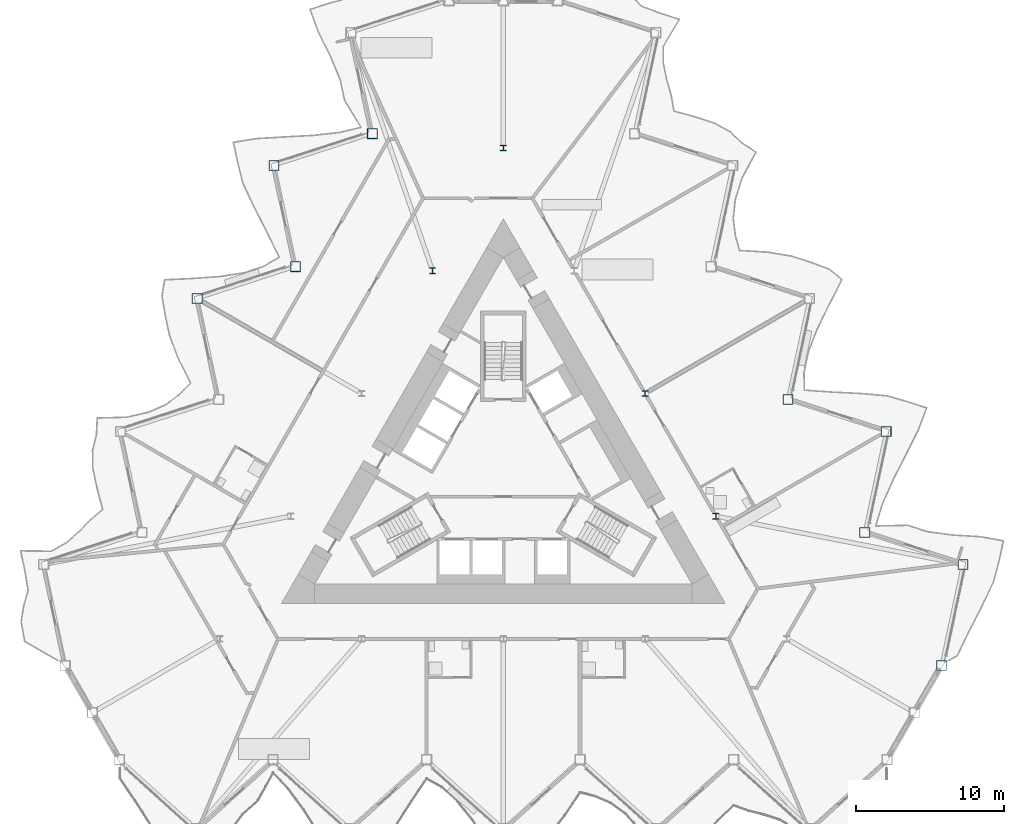
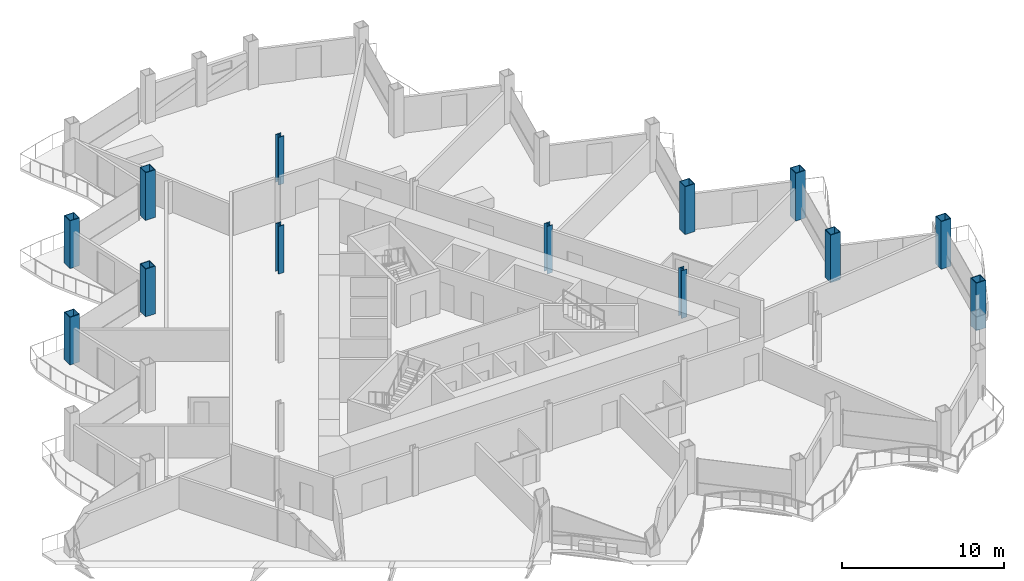
# One storey, part 2 of 23: 13 columns.
"""IFC4 building model written with IfcOpenShell, lengths in metres."""

from ifc_helpers import new_model, si_unit, direction, frame, origin, origin_2d, place, context, subcontext, project, spatial, hollow_rectangle, i_section, extrude, material, material_profile, profile_set, type_object, element, save


model = new_model("IFC4")

# Units and contexts
model_context = context("Model", 3, precision=1e-05, world=origin(), true_north=direction((0.0, 1.0)))
body_context = subcontext(model_context, "Body", "Model", "MODEL_VIEW")
ifc_project = project(units=[si_unit("LENGTHUNIT", "METRE"), si_unit("AREAUNIT", "SQUARE_METRE"), si_unit("VOLUMEUNIT", "CUBIC_METRE"), si_unit("PLANEANGLEUNIT", "RADIAN"), si_unit("MASSUNIT", "GRAM", prefix="KILO")], contexts=[model_context])

# Site, building, storey
site_placement = place(None, origin())
site = spatial("IfcSite", under=ifc_project, at=site_placement, CompositionType="ELEMENT")
building_placement = place(site_placement, origin())
building = spatial("IfcBuilding", under=site, at=building_placement, Name="Cormorant Prow Tower", CompositionType="ELEMENT")
storey_placement = place(building_placement, frame((0.0, 0.0, 263.39990234375)))
storey = spatial("IfcBuildingStorey", under=building, at=storey_placement, Name="L59", CompositionType="ELEMENT", Elevation=263.39990234375)

# Columns
ifc_material_1 = material(Name="Structural steel ASTM A572 Gr 50", Category="steel")
ifc_material_profile_1 = material_profile(ifc_material_1, hollow_rectangle(XDim=0.699951171875, YDim=0.699951171875, WallThickness=0.044921875, at=origin_2d()), Name="Box 700x700x45")
ifc_profile_set_1 = profile_set([ifc_material_profile_1], Name="Structural steel ASTM A572 Gr 50")
column_type_1 = type_object("IfcColumnType", Name="Perimeter box column 700x700x45", PredefinedType="COLUMN", material=ifc_profile_set_1)
for number, where, z_axis, x_axis, name in (
    (1, (29.611572265625, -12.858154296875, 0.0), (0.0, 0.0, 1.0), (1.0, 0.0, 0.0), "Perimeter column C5 at ENE00 L59"),
    (2, (31.063232421875, -6.029052734375, 0.0), (0.0, 0.0, 1.0), (1.0, 0.0, 0.0), "Perimeter column C5 at ENE01 L59"),
    (3, (24.42333984375, -3.871826171875, 0.0), (0.0, 0.0, 1.0), (1.0, 0.0, 0.0), "Perimeter column C5 at ENE02 L59"),
    (4, (25.875, 2.957275390625, 0.0), (0.0, 0.0, 1.0), (1.0, 0.0, 0.0), "Perimeter column C5 at ENE03 L59"),
    (5, (19.235107421875, 5.114501953125, 0.0), (0.0, 0.0, 1.0), (1.0, 0.0, 0.0), "Perimeter column C5 at ENE04 L59"),
    (6, (-8.858642578125, 23.087158203125, 0.0), (0.0, 0.0, 1.0), (1.0, 0.0, 0.0), "Perimeter column C5 at WNW02 L59"),
    (7, (-15.49853515625, 20.9296875, 0.0), (0.0, 0.0, 1.0), (1.0, 0.0, 0.0), "Perimeter column C5 at WNW03 L59"),
    (8, (-14.046875, 14.100830078125, 0.0), (0.0, 0.0, 1.0), (1.0, 0.0, 0.0), "Perimeter column C5 at WNW04 L59"),
    (9, (-20.686767578125, 11.943359375, 0.0), (0.0, 0.0, 1.0), (1.0, 0.0, 0.0), "Perimeter column C5 at WNW05 L59"),
):
    element("IfcColumn", number, at=place(storey_placement, frame(where, z_axis=z_axis, x_axis=x_axis)), inside=storey, type_object=column_type_1, Name=name, PredefinedType="COLUMN", context=body_context, shape_type="SweptSolid", body=[
        extrude(hollow_rectangle(XDim=0.699951171875, YDim=0.699951171875, WallThickness=0.044921875, at=origin_2d()), origin(), (0.0, 0.0, 1.0), 3.60009765625),
    ])
ifc_material_2 = material(Name="Structural steel ASTM A992 Gr 50", Category="steel")
ifc_material_profile_2 = material_profile(ifc_material_2, i_section(OverallWidth=0.39892578125, OverallDepth=0.393310546875, WebThickness=0.022705078125, FlangeThickness=0.03662109375, at=origin_2d()), Name="W14x193")
ifc_profile_set_2 = profile_set([ifc_material_profile_2], Name="Structural steel ASTM A992 Gr 50")
column_type_2 = type_object("IfcColumnType", Name="Ring column W14x193", PredefinedType="COLUMN", material=ifc_profile_set_2)
for number, where, z_axis, x_axis, name in (
    (10, (0.0, 22.12060546875, 0.0), (0.0, 0.0, 1.0), (1.0, 0.0, 0.0), "Ring column 1 L59"),
    (11, (-4.789306640625, 13.8251953125, 0.0), (0.0, 0.0, 1.0), (1.0, 0.0, 0.0), "Ring column 2 L59"),
    (12, (14.36767578125, -2.76513671875, 0.0), (0.0, 0.0, 1.0), (1.0, 0.0, 0.0), "Ring column 10 L59"),
    (13, (9.578369140625, 5.530029296875, 0.0), (0.0, 0.0, 1.0), (1.0, 0.0, 0.0), "Ring column 11 L59"),
):
    element("IfcColumn", number, at=place(storey_placement, frame(where, z_axis=z_axis, x_axis=x_axis)), inside=storey, type_object=column_type_2, Name=name, PredefinedType="COLUMN", context=body_context, shape_type="SweptSolid", body=[
        extrude(i_section(OverallWidth=0.39892578125, OverallDepth=0.393310546875, WebThickness=0.022705078125, FlangeThickness=0.03662109375, at=origin_2d()), origin(), (0.0, 0.0, 1.0), 3.60009765625),
    ])

save(model, "model.ifc")
